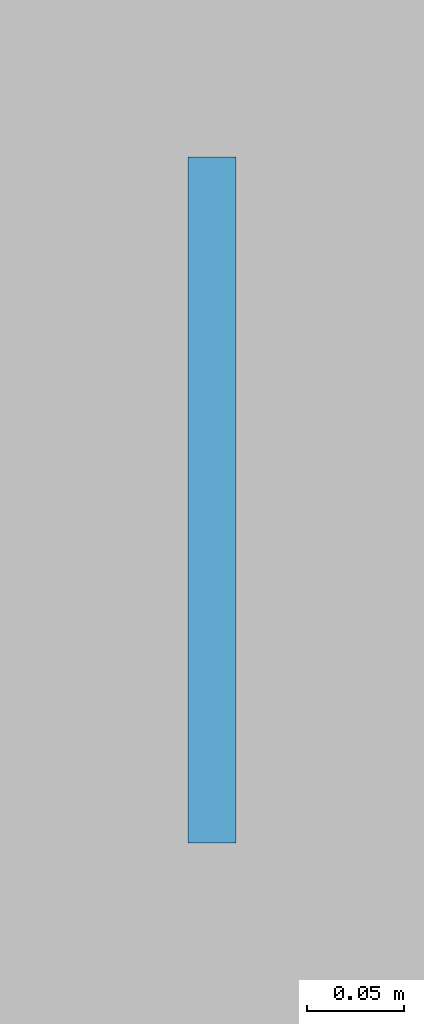
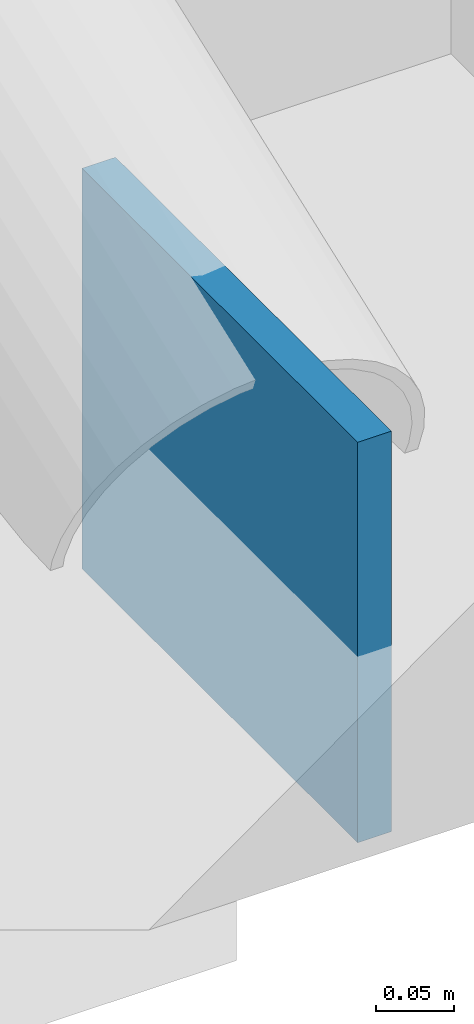
# One storey, part 116 of 148: 1 plate.
"""IFC4 building model written with IfcOpenShell, lengths in metres."""

import ifcopenshell
import ifcopenshell.guid

model = None  # the IFC model being written
_history = None  # IfcOwnerHistory: only IFC2X3 demands one
_inside = {}  # id of a spatial element -> (the spatial element, [elements in it])
_under = {}  # id of a project, library or spatial element -> (it, [spatial elements below it])
_declared = {}  # id of a project -> (the project, [libraries it declares])
_typed = {}  # id of a type object -> (the type object, [elements of that type])
_made_of = {}  # id of a material, layer set ... -> (it, [elements and type objects made of it])


def new_model(schema):
    """Start an empty IFC model of exactly this schema.

    Asked for "IFC4X3", IfcOpenShell would pick the latest addendum, in which some entities
    have other attributes; the version numbers below select the first issue.
    IFC2X3 requires an IfcOwnerHistory on every rooted entity: one is made here for all.
    """
    global model, _history
    if schema == "IFC4X3":
        model = ifcopenshell.file(schema_version=(4, 3, 0, 0))
    else:
        model = ifcopenshell.file(schema=schema)
    _inside.clear()
    _under.clear()
    _declared.clear()
    _typed.clear()
    _made_of.clear()
    _history = None
    if model.schema == "IFC2X3":
        org = make("IfcOrganization", Name="unknown")
        user = make(
            "IfcPersonAndOrganization",
            ThePerson=make("IfcPerson", FamilyName="unknown"),
            TheOrganization=org,
        )
        app = make(
            "IfcApplication",
            ApplicationDeveloper=org,
            Version="unknown",
            ApplicationFullName="unknown",
            ApplicationIdentifier="unknown",
        )
        _history = make(
            "IfcOwnerHistory",
            OwningUser=user,
            OwningApplication=app,
            ChangeAction="ADDED",
            CreationDate=0,
        )
    return model


def make(cls, **values):
    """One entity of the class cls with the attributes given. An attribute that is None is left unset."""
    return model.create_entity(
        cls, **{name: value for name, value in values.items() if value is not None}
    )


def rooted(cls, **values):
    """An entity with a GlobalId (a new one), such as an element, a storey or a relation."""
    return make(cls, GlobalId=ifcopenshell.guid.new(), OwnerHistory=_history, **values)


def si_unit(unit_type, name, prefix=None):
    """IfcSIUnit, for example si_unit("LENGTHUNIT", "METRE", prefix="MILLI")."""
    return make("IfcSIUnit", UnitType=unit_type, Prefix=prefix, Name=name)


def assignment(units):
    """IfcUnitAssignment: the units of a project."""
    return None if units is None else make("IfcUnitAssignment", Units=units)


def point(xyz):
    """IfcCartesianPoint."""
    return None if xyz is None else make("IfcCartesianPoint", Coordinates=xyz)


def direction(xyz):
    """IfcDirection."""
    return None if xyz is None else make("IfcDirection", DirectionRatios=xyz)


def frame(location, z_axis=None, x_axis=None):
    """IfcAxis2Placement3D, a coordinate frame: its origin and axes. An axis left out is left unset."""
    return make(
        "IfcAxis2Placement3D",
        Location=point(location),
        Axis=direction(z_axis),
        RefDirection=direction(x_axis),
    )


def frame_2d(location, x_axis=None):
    """IfcAxis2Placement2D, a coordinate frame in the plane: its origin and x axis."""
    return make(
        "IfcAxis2Placement2D", Location=point(location), RefDirection=direction(x_axis)
    )


def origin():
    """The frame at (0, 0, 0) with its axes left unset."""
    return frame((0.0, 0.0, 0.0))


def origin_2d():
    """The frame at (0, 0) in the plane with its x axis left unset."""
    return frame_2d((0.0, 0.0))


def place(relative_to, where):
    """IfcLocalPlacement: puts the frame where relative to a parent placement (None: the world)."""
    return make(
        "IfcLocalPlacement", PlacementRelTo=relative_to, RelativePlacement=where
    )


def context(
    kind, dimensions, precision=None, world=None, true_north=None, identifier=None
):
    """IfcGeometricRepresentationContext, for example the 3D "Model" context."""
    return make(
        "IfcGeometricRepresentationContext",
        ContextIdentifier=identifier,
        ContextType=kind,
        CoordinateSpaceDimension=dimensions,
        Precision=precision,
        WorldCoordinateSystem=world,
        TrueNorth=true_north,
    )


def subcontext(parent, identifier, kind, view, scale=None):
    """IfcGeometricRepresentationSubContext, for example "Body" below "Model"."""
    return make(
        "IfcGeometricRepresentationSubContext",
        ContextIdentifier=identifier,
        ContextType=kind,
        ParentContext=parent,
        TargetScale=scale,
        TargetView=view,
    )


def project(units=None, contexts=None):
    """IfcProject with its units and contexts."""
    return rooted(
        "IfcProject",
        Name="project",
        RepresentationContexts=contexts,
        UnitsInContext=assignment(units),
    )


def spatial(cls, under=None, at=None, **own):
    """A site, building, storey or space (cls), placed at a placement, below another one or the project."""
    s = rooted(cls, ObjectPlacement=at, **own)
    if under is not None:
        _under.setdefault(under.id(), (under, []))[1].append(s)
    return s


def profile(cls, at=None, kind="AREA", **sizes):
    """A parametric profile (cls). Its sizes go by their IFC names, for example OverallWidth=200.0."""
    return make(cls, ProfileType=kind, Position=at, **sizes)


def rectangle(**sizes):
    """IfcRectangleProfileDef."""
    return profile("IfcRectangleProfileDef", **sizes)


def extrude(swept, where, along, depth):
    """IfcExtrudedAreaSolid: the profile swept, set in the frame where, extruded along a direction by depth."""
    return make(
        "IfcExtrudedAreaSolid",
        SweptArea=swept,
        Position=where,
        ExtrudedDirection=direction(along),
        Depth=depth,
    )


def shape(context_of_items, identifier, shape_type, items):
    """IfcShapeRepresentation: the items that make up one representation, for example the "Body"."""
    return make(
        "IfcShapeRepresentation",
        ContextOfItems=context_of_items,
        RepresentationIdentifier=identifier,
        RepresentationType=shape_type,
        Items=items,
    )


def material(Name=None, Category=None):
    """IfcMaterial."""
    return make("IfcMaterial", Name=Name, Category=Category)


def layer(
    of_material, thickness, ventilated=None, Name=None, Category=None, Priority=None
):
    """IfcMaterialLayer: one layer of a wall or slab, of a material (None: an air gap)."""
    return make(
        "IfcMaterialLayer",
        Material=of_material,
        LayerThickness=thickness,
        IsVentilated=ventilated,
        Name=Name,
        Category=Category,
        Priority=Priority,
    )


def layer_set(layers, Name=None):
    """IfcMaterialLayerSet."""
    return make("IfcMaterialLayerSet", MaterialLayers=layers, LayerSetName=Name)


def made_of(thing, what):
    """Note that an element or type object is made of a material, layer set ...; save() writes the relation."""
    if what is not None:
        _made_of.setdefault(what.id(), (what, []))[1].append(thing)
    return thing


def type_object(cls, material=None, **own):
    """A type object (cls), such as IfcWallType, which elements share."""
    return made_of(rooted(cls, **own), material)


def element(
    cls,
    number,
    at=None,
    inside=None,
    cuts=None,
    type_object=None,
    material=None,
    context=None,
    identifier="Body",
    shape_type=None,
    held_by="IfcProductDefinitionShape",
    body=None,
    shapes=None,
    **own,
):
    """One element of the class cls, such as IfcWall. Its Tag is "e" and its number.

    at: its placement. inside: the storey or other place that contains it. cuts: it is an
    opening in that element (IfcRelVoidsElement). A single representation is given by context,
    identifier, shape_type and body (its items); several are given by shapes. held_by: the class
    of the entity that holds the representations. save() writes the other relations.
    """
    e = rooted(cls, Tag="e%d" % number, ObjectPlacement=at, **own)
    if body is not None:
        shapes = [shape(context, identifier, shape_type, body)]
    if shapes is not None:
        e.Representation = make(held_by, Representations=shapes)
    if inside is not None:
        _inside.setdefault(inside.id(), (inside, []))[1].append(e)
    if cuts is not None:
        rooted(
            "IfcRelVoidsElement", RelatingBuildingElement=cuts, RelatedOpeningElement=e
        )
    if type_object is not None:
        _typed.setdefault(type_object.id(), (type_object, []))[1].append(e)
    return made_of(e, material)


def aggregate(whole, parts):
    """IfcRelAggregates: a whole, such as a stair, and the parts it consists of."""
    return rooted("IfcRelAggregates", RelatingObject=whole, RelatedObjects=parts)


def save(model, path):
    """Write the relations noted so far, then the file.

    IfcRelAggregates (storeys below a building ...), IfcRelContainedInSpatialStructure (elements
    in a storey), IfcRelDefinesByType, IfcRelAssociatesMaterial and IfcRelDeclares: one each for
    every whole, place, type object, material and project.
    """
    for whole, parts in _under.values():
        aggregate(whole, parts)
    for where, things in _inside.values():
        rooted(
            "IfcRelContainedInSpatialStructure",
            RelatedElements=things,
            RelatingStructure=where,
        )
    for kind, things in _typed.values():
        rooted("IfcRelDefinesByType", RelatedObjects=things, RelatingType=kind)
    for what, things in _made_of.values():
        rooted("IfcRelAssociatesMaterial", RelatedObjects=things, RelatingMaterial=what)
    for by, libraries in _declared.values():
        rooted("IfcRelDeclares", RelatingContext=by, RelatedDefinitions=libraries)
    model.write(path)


model = new_model("IFC4")

# Units and contexts
model_context = context("Model", 3, precision=1e-05, world=origin(), true_north=direction((0.0, 1.0)))
body_context = subcontext(model_context, "Body", "Model", "MODEL_VIEW")
ifc_project = project(units=[si_unit("LENGTHUNIT", "METRE"), si_unit("AREAUNIT", "SQUARE_METRE"), si_unit("VOLUMEUNIT", "CUBIC_METRE"), si_unit("PLANEANGLEUNIT", "RADIAN"), si_unit("MASSUNIT", "GRAM", prefix="KILO")], contexts=[model_context])

# Site, building, storey
site_placement = place(None, origin())
site = spatial("IfcSite", under=ifc_project, at=site_placement, CompositionType="ELEMENT")
building_placement = place(site_placement, origin())
building = spatial("IfcBuilding", under=site, at=building_placement, Name="Karori Crest Natural Sciences Institute", CompositionType="ELEMENT")
storey_placement = place(building_placement, frame((0.0, 0.0, 4.89990234375)))
storey = spatial("IfcBuildingStorey", under=building, at=storey_placement, Name="L01", CompositionType="ELEMENT", Elevation=4.89990234375)

# Plate
ifc_material = material(Name="Structural steel AS/NZS 3679.1 Grade 350", Category="steel")
ifc_layer = layer(ifc_material, 0.02490234375, Name="Structural steel AS/NZS 3679.1 Grade 350")
ifc_layer_set = layer_set([ifc_layer], Name="Structural steel AS/NZS 3679.1 Grade 350")
plate_type = type_object("IfcPlateType", Name="PLT-06-EL", PredefinedType="SHEET", material=ifc_layer_set)
plate_placement = place(storey_placement, frame((27.199951171875, 95.0, -0.146484375), z_axis=(0.0, 0.0, 1.0), x_axis=(0.0, 1.0, 0.0)))
element("IfcPlate", 1, at=plate_placement, inside=storey, type_object=plate_type, Name="Brace gusset plate EP-0366", PredefinedType="SHEET", context=body_context, shape_type="SweptSolid", body=[
    extrude(rectangle(XDim=0.35302734375, YDim=0.02490234375, at=origin_2d()), origin(), (0.0, 0.0, 1.0), 0.31298828125),
])

save(model, "model.ifc")
